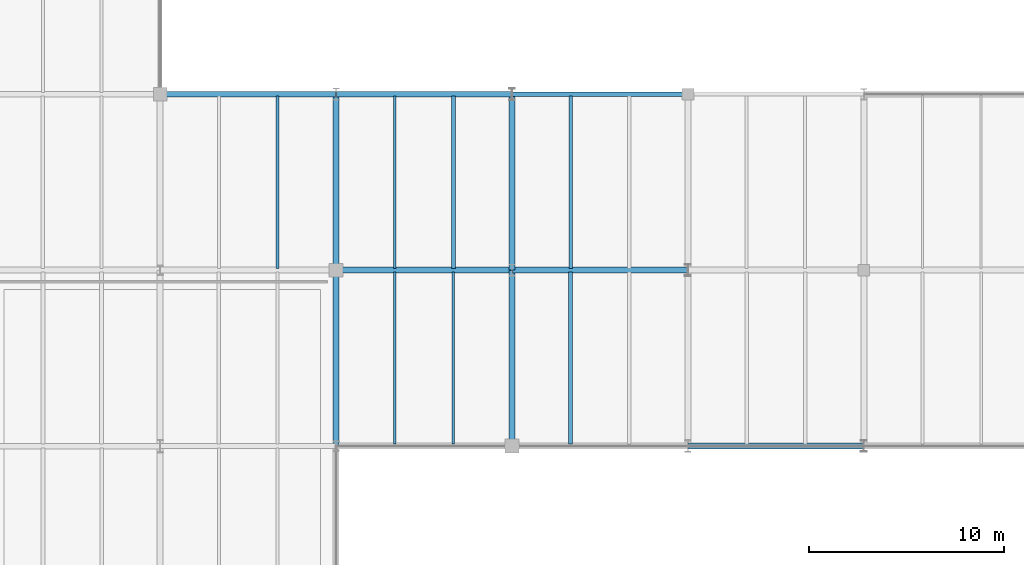
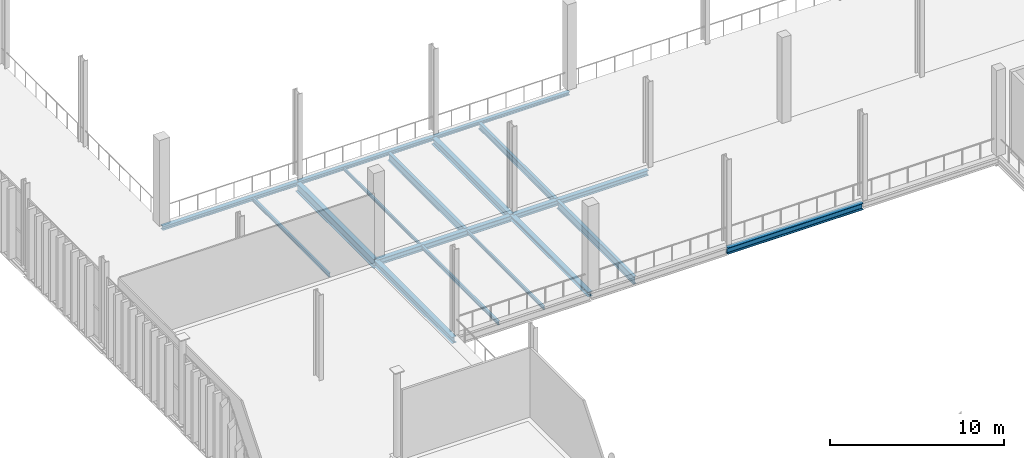
# One storey, part 52 of 211: 17 beams.
"""IFC4 building model written with IfcOpenShell, lengths in metres."""

from ifc_helpers import new_model, si_unit, direction, frame, origin, origin_2d, place, context, subcontext, project, spatial, i_section, extrude, material, material_profile, profile_set, type_object, element, save


model = new_model("IFC4")

# Units and contexts
model_context = context("Model", 3, precision=1e-05, world=origin(), true_north=direction((0.0, 1.0)))
body_context = subcontext(model_context, "Body", "Model", "MODEL_VIEW")
ifc_project = project(units=[si_unit("LENGTHUNIT", "METRE"), si_unit("AREAUNIT", "SQUARE_METRE"), si_unit("VOLUMEUNIT", "CUBIC_METRE"), si_unit("PLANEANGLEUNIT", "RADIAN"), si_unit("MASSUNIT", "GRAM", prefix="KILO")], contexts=[model_context])

# Site, building, storey
site_placement = place(None, origin())
site = spatial("IfcSite", under=ifc_project, at=site_placement, CompositionType="ELEMENT")
building_placement = place(site_placement, origin())
building = spatial("IfcBuilding", under=site, at=building_placement, Name="Barlavento Convention Centre", CompositionType="ELEMENT")
storey_placement = place(building_placement, frame((0.0, 0.0, 6.0)))
storey = spatial("IfcBuildingStorey", under=building, at=storey_placement, Name="L01", CompositionType="ELEMENT", Elevation=6.0)

# Beams
ifc_material = material(Name="Steel S355", Category="steel")
ifc_material_profile_1 = material_profile(ifc_material, i_section(OverallWidth=0.110107421875, OverallDepth=0.219970703125, WebThickness=0.005859375, FlangeThickness=0.00927734375, FilletRadius=0.011962890625, at=origin_2d()), Name="IPE 220")
ifc_profile_set_1 = profile_set([ifc_material_profile_1], Name="Steel S355")
beam_type_1 = type_object("IfcBeamType", Name="STR-BM-JST-IPE220", PredefinedType="JOIST", material=ifc_profile_set_1)
beam_1_placement = place(storey_placement, frame((21.0, 54.094970703125, -0.409912109375), z_axis=(0.0, 1.0, 0.0), x_axis=(-1.0, 0.0, 0.0)))
element("IfcBeam", 1, at=beam_1_placement, inside=storey, type_object=beam_type_1, Name="L01 composite floor joist SJ10", PredefinedType="JOIST", context=body_context, shape_type="SweptSolid", body=[
    extrude(i_section(OverallWidth=0.110107421875, OverallDepth=0.219970703125, WebThickness=0.005859375, FlangeThickness=0.00927734375, FilletRadius=0.011962890625, at=origin_2d()), origin(), (0.0, 0.0, 1.0), 8.81005859375),
])
ifc_material_profile_2 = material_profile(ifc_material, i_section(OverallWidth=0.1201171875, OverallDepth=0.239990234375, WebThickness=0.006103515625, FlangeThickness=0.009765625, FilletRadius=0.014892578125, at=origin_2d()), Name="IPE 240")
ifc_profile_set_2 = profile_set([ifc_material_profile_2], Name="Steel S355")
beam_type_2 = type_object("IfcBeamType", Name="STR-BM-JST-IPE240", PredefinedType="JOIST", material=ifc_profile_set_2)
beam_2_placement = place(storey_placement, frame((24.0, 45.094970703125, -0.419921875), z_axis=(0.0, 1.0, 0.0), x_axis=(-1.0, 0.0, 0.0)))
element("IfcBeam", 2, at=beam_2_placement, inside=storey, type_object=beam_type_2, Name="L01 composite floor joist SJ09", PredefinedType="JOIST", context=body_context, shape_type="SweptSolid", body=[
    extrude(i_section(OverallWidth=0.1201171875, OverallDepth=0.239990234375, WebThickness=0.006103515625, FlangeThickness=0.009765625, FilletRadius=0.014892578125, at=origin_2d()), origin(), (0.0, 0.0, 1.0), 8.81005859375),
])
ifc_material_profile_3 = material_profile(ifc_material, i_section(OverallWidth=0.135009765625, OverallDepth=0.27001953125, WebThickness=0.006591796875, FlangeThickness=0.01025390625, FilletRadius=0.014892578125, at=origin_2d()), Name="IPE 270")
ifc_profile_set_3 = profile_set([ifc_material_profile_3], Name="Steel S355")
beam_type_3 = type_object("IfcBeamType", Name="STR-BM-JST-IPE270", PredefinedType="JOIST", material=ifc_profile_set_3)
for number, where, z_axis, x_axis, name in (
    (3, (21.0, 45.094970703125, -0.43505859375), (0.0, 1.0, 0.0), (-1.0, 0.0, 0.0), "L01 composite floor joist SJ08"),
    (4, (15.0, 54.094970703125, -0.43505859375), (0.0, 1.0, 0.0), (-1.0, 0.0, 0.0), "L01 composite floor joist SJ08"),
):
    element("IfcBeam", number, at=place(storey_placement, frame(where, z_axis=z_axis, x_axis=x_axis)), inside=storey, type_object=beam_type_3, Name=name, PredefinedType="JOIST", context=body_context, shape_type="SweptSolid", body=[
        extrude(i_section(OverallWidth=0.135009765625, OverallDepth=0.27001953125, WebThickness=0.006591796875, FlangeThickness=0.01025390625, FilletRadius=0.014892578125, at=origin_2d()), origin(), (0.0, 0.0, 1.0), 8.81005859375),
    ])
ifc_material_profile_4 = material_profile(ifc_material, i_section(OverallWidth=0.18994140625, OverallDepth=0.449951171875, WebThickness=0.009521484375, FlangeThickness=0.0146484375, FilletRadius=0.02099609375, at=origin_2d()), Name="IPE 450")
ifc_profile_set_4 = profile_set([ifc_material_profile_4], Name="Steel S355")
beam_type_4 = type_object("IfcBeamType", Name="STR-BM-JST-IPE450", PredefinedType="JOIST", material=ifc_profile_set_4)
beam_3_placement = place(storey_placement, frame((30.0, 54.094970703125, -0.52490234375), z_axis=(0.0, 1.0, 0.0), x_axis=(-1.0, 0.0, 0.0)))
element("IfcBeam", 5, at=beam_3_placement, inside=storey, type_object=beam_type_4, Name="L01 composite floor joist SJ03", PredefinedType="JOIST", context=body_context, shape_type="SweptSolid", body=[
    extrude(i_section(OverallWidth=0.18994140625, OverallDepth=0.449951171875, WebThickness=0.009521484375, FlangeThickness=0.0146484375, FilletRadius=0.02099609375, at=origin_2d()), origin(), (0.0, 0.0, 1.0), 8.81005859375),
])
ifc_material_profile_5 = material_profile(ifc_material, i_section(OverallWidth=0.2099609375, OverallDepth=0.550048828125, WebThickness=0.010986328125, FlangeThickness=0.01708984375, FilletRadius=0.02392578125, at=origin_2d()), Name="IPE 550")
ifc_profile_set_5 = profile_set([ifc_material_profile_5], Name="Steel S355")
beam_type_5 = type_object("IfcBeamType", Name="STR-BM-JST-IPE550", PredefinedType="JOIST", material=ifc_profile_set_5)
for number, where, z_axis, x_axis, name in (
    (6, (30.0, 45.094970703125, -0.574951171875), (0.0, 1.0, 0.0), (-1.0, 0.0, 0.0), "L01 composite floor joist SJ01"),
    (7, (24.0, 54.094970703125, -0.574951171875), (0.0, 1.0, 0.0), (-1.0, 0.0, 0.0), "L01 composite floor joist SJ01"),
):
    element("IfcBeam", number, at=place(storey_placement, frame(where, z_axis=z_axis, x_axis=x_axis)), inside=storey, type_object=beam_type_5, Name=name, PredefinedType="JOIST", context=body_context, shape_type="SweptSolid", body=[
        extrude(i_section(OverallWidth=0.2099609375, OverallDepth=0.550048828125, WebThickness=0.010986328125, FlangeThickness=0.01708984375, FilletRadius=0.02392578125, at=origin_2d()), origin(), (0.0, 0.0, 1.0), 8.81005859375),
    ])
ifc_material_profile_6 = material_profile(ifc_material, i_section(OverallWidth=0.300048828125, OverallDepth=0.330078125, WebThickness=0.009521484375, FlangeThickness=0.0166015625, FilletRadius=0.027099609375, at=origin_2d()), Name="HEA 340")
ifc_profile_set_6 = profile_set([ifc_material_profile_6], Name="Steel S355")
beam_type_6 = type_object("IfcBeamType", Name="STR-BM-PRI-HEA340", PredefinedType="BEAM", material=ifc_profile_set_6)
beam_4_placement = place(storey_placement, frame((27.0, 45.02001953125, -0.465087890625), z_axis=(0.0, 1.0, 0.0), x_axis=(-1.0, 0.0, 0.0)))
element("IfcBeam", 8, at=beam_4_placement, inside=storey, type_object=beam_type_6, Name="L01 grid girder BG24", PredefinedType="BEAM", context=body_context, shape_type="SweptSolid", body=[
    extrude(i_section(OverallWidth=0.300048828125, OverallDepth=0.330078125, WebThickness=0.009521484375, FlangeThickness=0.0166015625, FilletRadius=0.027099609375, at=origin_2d()), origin(), (0.0, 0.0, 1.0), 8.9599609375),
])
ifc_material_profile_7 = material_profile(ifc_material, i_section(OverallWidth=0.300048828125, OverallDepth=0.43994140625, WebThickness=0.011474609375, FlangeThickness=0.02099609375, FilletRadius=0.027099609375, at=origin_2d()), Name="HEA 450")
ifc_profile_set_7 = profile_set([ifc_material_profile_7], Name="Steel S355")
beam_type_7 = type_object("IfcBeamType", Name="STR-BM-PRI-HEA450", PredefinedType="BEAM", material=ifc_profile_set_7)
beam_5_placement = place(storey_placement, frame((18.0, 45.02001953125, -0.52001953125), z_axis=(0.0, 1.0, 0.0), x_axis=(-1.0, 0.0, 0.0)))
element("IfcBeam", 9, at=beam_5_placement, inside=storey, type_object=beam_type_7, Name="L01 grid girder BG21", PredefinedType="BEAM", context=body_context, shape_type="SweptSolid", body=[
    extrude(i_section(OverallWidth=0.300048828125, OverallDepth=0.43994140625, WebThickness=0.011474609375, FlangeThickness=0.02099609375, FilletRadius=0.027099609375, at=origin_2d()), origin(), (0.0, 0.0, 1.0), 8.9599609375),
])
ifc_material_profile_8 = material_profile(ifc_material, i_section(OverallWidth=0.300048828125, OverallDepth=0.489990234375, WebThickness=0.011962890625, FlangeThickness=0.02294921875, FilletRadius=0.027099609375, at=origin_2d()), Name="HEA 500")
ifc_profile_set_8 = profile_set([ifc_material_profile_8], Name="Steel S355")
beam_type_8 = type_object("IfcBeamType", Name="STR-BM-PRI-HEA500", PredefinedType="BEAM", material=ifc_profile_set_8)
beam_6_placement = place(storey_placement, frame((27.0, 54.02001953125, -0.544921875), z_axis=(0.0, 1.0, 0.0), x_axis=(-1.0, 0.0, 0.0)))
element("IfcBeam", 10, at=beam_6_placement, inside=storey, type_object=beam_type_8, Name="L01 grid girder BG20", PredefinedType="BEAM", context=body_context, shape_type="SweptSolid", body=[
    extrude(i_section(OverallWidth=0.300048828125, OverallDepth=0.489990234375, WebThickness=0.011962890625, FlangeThickness=0.02294921875, FilletRadius=0.027099609375, at=origin_2d()), origin(), (0.0, 0.0, 1.0), 8.9599609375),
])
ifc_material_profile_9 = material_profile(ifc_material, i_section(OverallWidth=0.300048828125, OverallDepth=0.639892578125, WebThickness=0.013427734375, FlangeThickness=0.02587890625, FilletRadius=0.027099609375, at=origin_2d()), Name="HEA 650")
ifc_profile_set_9 = profile_set([ifc_material_profile_9], Name="Steel S355")
beam_type_9 = type_object("IfcBeamType", Name="STR-BM-PRI-HEA650", PredefinedType="BEAM", material=ifc_profile_set_9)
beam_7_placement = place(storey_placement, frame((18.0, 54.02001953125, -0.6201171875), z_axis=(0.0, 1.0, 0.0), x_axis=(-1.0, 0.0, 0.0)))
element("IfcBeam", 11, at=beam_7_placement, inside=storey, type_object=beam_type_9, Name="L01 grid girder BG17", PredefinedType="BEAM", context=body_context, shape_type="SweptSolid", body=[
    extrude(i_section(OverallWidth=0.300048828125, OverallDepth=0.639892578125, WebThickness=0.013427734375, FlangeThickness=0.02587890625, FilletRadius=0.027099609375, at=origin_2d()), origin(), (0.0, 0.0, 1.0), 8.9599609375),
])
ifc_material_profile_10 = material_profile(ifc_material, i_section(OverallWidth=0.300048828125, OverallDepth=0.360107421875, WebThickness=0.012451171875, FlangeThickness=0.0224609375, FilletRadius=0.027099609375, at=origin_2d()), Name="HEB 360")
ifc_profile_set_10 = profile_set([ifc_material_profile_10], Name="Steel S355")
beam_type_10 = type_object("IfcBeamType", Name="STR-BM-PRI-HEB360", PredefinedType="BEAM", material=ifc_profile_set_10)
beam_8_placement = place(storey_placement, frame((27.02001953125, 54.0, -0.47998046875), z_axis=(1.0, 0.0, 0.0), x_axis=(0.0, 1.0, 0.0)))
element("IfcBeam", 12, at=beam_8_placement, inside=storey, type_object=beam_type_10, Name="L01 primary girder BG12", PredefinedType="BEAM", context=body_context, shape_type="SweptSolid", body=[
    extrude(i_section(OverallWidth=0.300048828125, OverallDepth=0.360107421875, WebThickness=0.012451171875, FlangeThickness=0.0224609375, FilletRadius=0.027099609375, at=origin_2d()), origin(), (0.0, 0.0, 1.0), 8.9599609375),
])
ifc_material_profile_11 = material_profile(ifc_material, i_section(OverallWidth=0.300048828125, OverallDepth=0.39990234375, WebThickness=0.013427734375, FlangeThickness=0.02392578125, FilletRadius=0.027099609375, at=origin_2d()), Name="HEB 400")
ifc_profile_set_11 = profile_set([ifc_material_profile_11], Name="Steel S355")
beam_type_11 = type_object("IfcBeamType", Name="STR-BM-PRI-HEB400", PredefinedType="BEAM", material=ifc_profile_set_11)
beam_9_placement = place(storey_placement, frame((18.02001953125, 54.0, -0.5), z_axis=(1.0, 0.0, 0.0), x_axis=(0.0, 1.0, 0.0)))
element("IfcBeam", 13, at=beam_9_placement, inside=storey, type_object=beam_type_11, Name="L01 primary girder BG11", PredefinedType="BEAM", context=body_context, shape_type="SweptSolid", body=[
    extrude(i_section(OverallWidth=0.300048828125, OverallDepth=0.39990234375, WebThickness=0.013427734375, FlangeThickness=0.02392578125, FilletRadius=0.027099609375, at=origin_2d()), origin(), (0.0, 0.0, 1.0), 8.9599609375),
])
ifc_material_profile_12 = material_profile(ifc_material, i_section(OverallWidth=0.300048828125, OverallDepth=0.449951171875, WebThickness=0.013916015625, FlangeThickness=0.02587890625, FilletRadius=0.027099609375, at=origin_2d()), Name="HEB 450")
ifc_profile_set_12 = profile_set([ifc_material_profile_12], Name="Steel S355")
beam_type_12 = type_object("IfcBeamType", Name="STR-BM-PRI-HEB450", PredefinedType="BEAM", material=ifc_profile_set_12)
beam_10_placement = place(storey_placement, frame((36.02001953125, 45.0, -0.52490234375), z_axis=(1.0, 0.0, 0.0), x_axis=(0.0, 1.0, 0.0)))
element("IfcBeam", 14, at=beam_10_placement, inside=storey, type_object=beam_type_12, Name="L01 primary girder BG10", PredefinedType="BEAM", context=body_context, shape_type="SweptSolid", body=[
    extrude(i_section(OverallWidth=0.300048828125, OverallDepth=0.449951171875, WebThickness=0.013916015625, FlangeThickness=0.02587890625, FilletRadius=0.027099609375, at=origin_2d()), origin(), (0.0, 0.0, 1.0), 8.9599609375),
])
ifc_material_profile_13 = material_profile(ifc_material, i_section(OverallWidth=0.239990234375, OverallDepth=0.22998046875, WebThickness=0.007568359375, FlangeThickness=0.011962890625, FilletRadius=0.02099609375, at=origin_2d()), Name="HEA 240")
ifc_profile_set_13 = profile_set([ifc_material_profile_13], Name="Steel S355")
beam_type_13 = type_object("IfcBeamType", Name="STR-BM-SPN-HEA240", PredefinedType="SPANDREL", material=ifc_profile_set_13)
beam_11_placement = place(storey_placement, frame((27.02001953125, 63.0, -0.39501953125), z_axis=(1.0, 0.0, 0.0), x_axis=(0.0, 1.0, 0.0)))
element("IfcBeam", 15, at=beam_11_placement, inside=storey, type_object=beam_type_13, Name="L01 primary girder SP05", PredefinedType="SPANDREL", context=body_context, shape_type="SweptSolid", body=[
    extrude(i_section(OverallWidth=0.239990234375, OverallDepth=0.22998046875, WebThickness=0.007568359375, FlangeThickness=0.011962890625, FilletRadius=0.02099609375, at=origin_2d()), origin(), (0.0, 0.0, 1.0), 8.9599609375),
])
ifc_material_profile_14 = material_profile(ifc_material, i_section(OverallWidth=0.260009765625, OverallDepth=0.25, WebThickness=0.007568359375, FlangeThickness=0.012451171875, FilletRadius=0.02392578125, at=origin_2d()), Name="HEA 260")
ifc_profile_set_14 = profile_set([ifc_material_profile_14], Name="Steel S355")
beam_type_14 = type_object("IfcBeamType", Name="STR-BM-SPN-HEA260", PredefinedType="SPANDREL", material=ifc_profile_set_14)
beam_12_placement = place(storey_placement, frame((18.02001953125, 63.0, -0.405029296875), z_axis=(1.0, 0.0, 0.0), x_axis=(0.0, 1.0, 0.0)))
element("IfcBeam", 16, at=beam_12_placement, inside=storey, type_object=beam_type_14, Name="L01 primary girder SP04", PredefinedType="SPANDREL", context=body_context, shape_type="SweptSolid", body=[
    extrude(i_section(OverallWidth=0.260009765625, OverallDepth=0.25, WebThickness=0.007568359375, FlangeThickness=0.012451171875, FilletRadius=0.02392578125, at=origin_2d()), origin(), (0.0, 0.0, 1.0), 8.9599609375),
])
ifc_material_profile_15 = material_profile(ifc_material, i_section(OverallWidth=0.280029296875, OverallDepth=0.27001953125, WebThickness=0.008056640625, FlangeThickness=0.012939453125, FilletRadius=0.02392578125, at=origin_2d()), Name="HEA 280")
ifc_profile_set_15 = profile_set([ifc_material_profile_15], Name="Steel S355")
beam_type_15 = type_object("IfcBeamType", Name="STR-BM-SPN-HEA280", PredefinedType="SPANDREL", material=ifc_profile_set_15)
beam_13_placement = place(storey_placement, frame((9.02001953125, 63.0, -0.4150390625), z_axis=(1.0, 0.0, 0.0), x_axis=(0.0, 1.0, 0.0)))
element("IfcBeam", 17, at=beam_13_placement, inside=storey, type_object=beam_type_15, Name="L01 primary girder SP03", PredefinedType="SPANDREL", context=body_context, shape_type="SweptSolid", body=[
    extrude(i_section(OverallWidth=0.280029296875, OverallDepth=0.27001953125, WebThickness=0.008056640625, FlangeThickness=0.012939453125, FilletRadius=0.02392578125, at=origin_2d()), origin(), (0.0, 0.0, 1.0), 8.9599609375),
])

save(model, "model.ifc")
